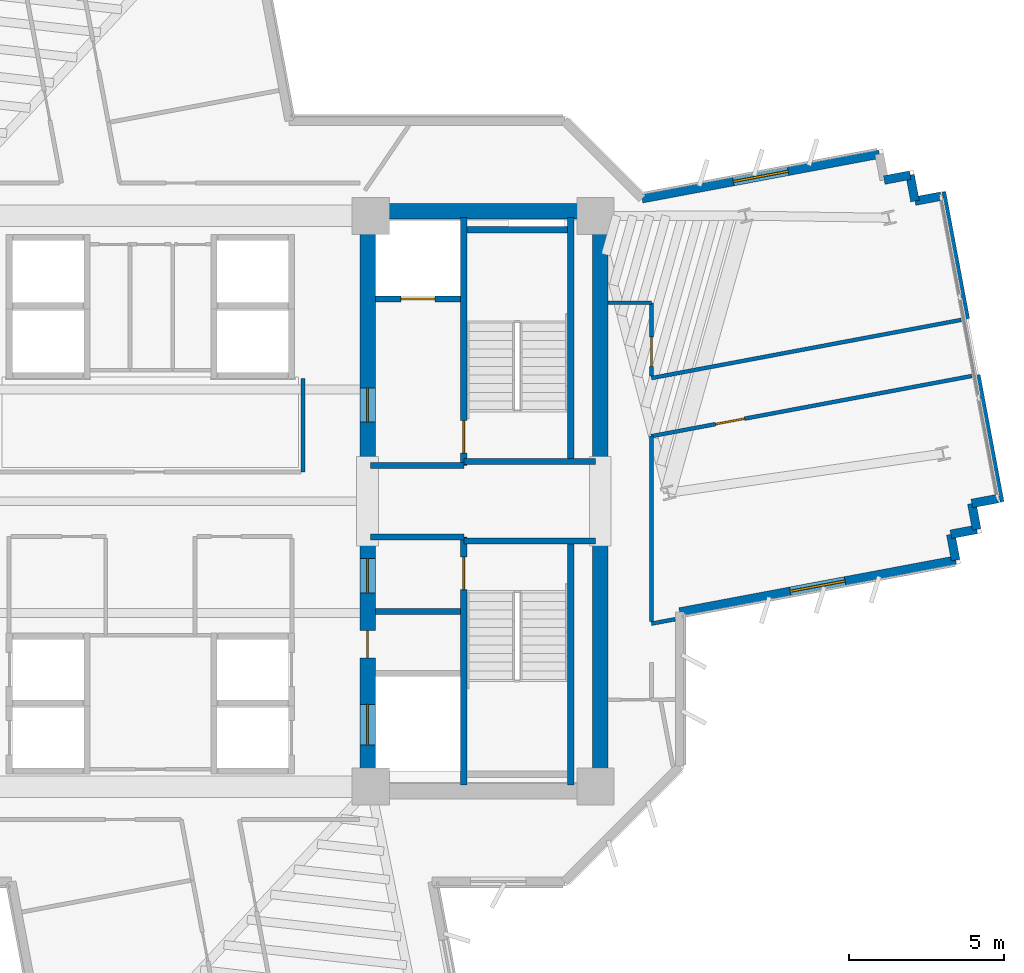
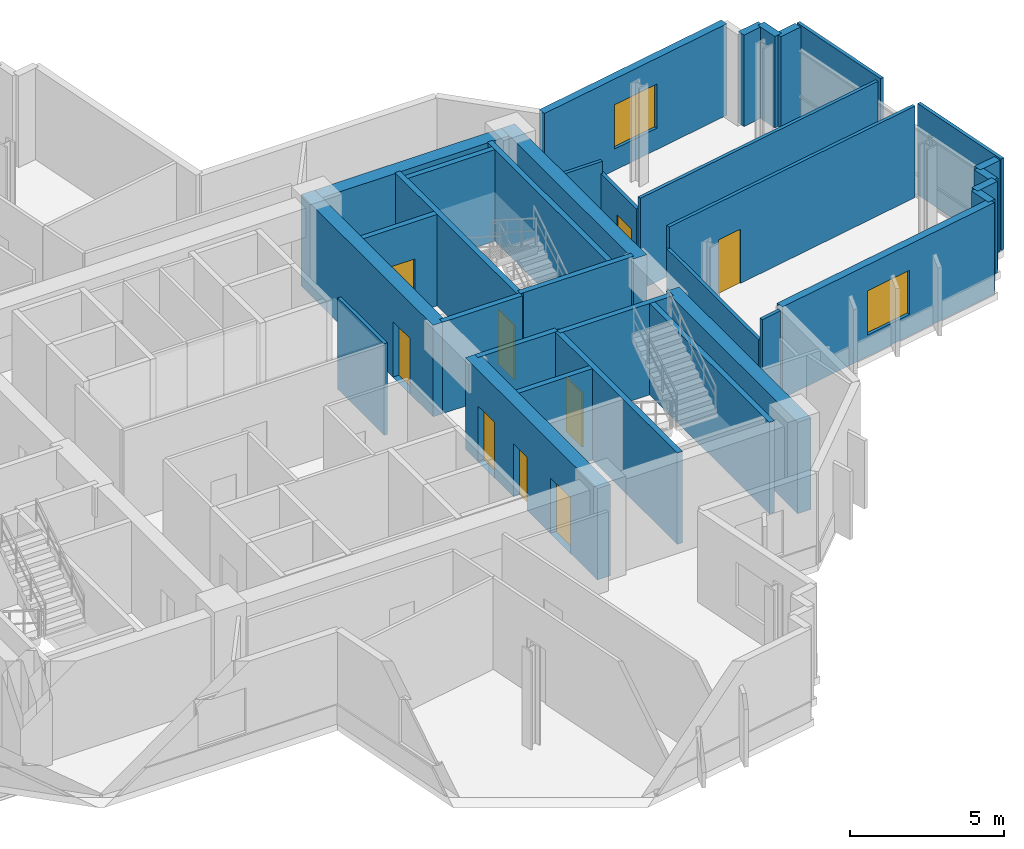
# One storey, part 11 of 16: 34 walls, 9 doors, 2 windows, 11 openings.
"""IFC4 building model written with IfcOpenShell, lengths in metres."""

import ifcopenshell
import ifcopenshell.guid

model = None  # the IFC model being written
_history = None  # IfcOwnerHistory: only IFC2X3 demands one
_inside = {}  # id of a spatial element -> (the spatial element, [elements in it])
_under = {}  # id of a project, library or spatial element -> (it, [spatial elements below it])
_declared = {}  # id of a project -> (the project, [libraries it declares])
_typed = {}  # id of a type object -> (the type object, [elements of that type])
_made_of = {}  # id of a material, layer set ... -> (it, [elements and type objects made of it])


def new_model(schema):
    """Start an empty IFC model of exactly this schema.

    Asked for "IFC4X3", IfcOpenShell would pick the latest addendum, in which some entities
    have other attributes; the version numbers below select the first issue.
    IFC2X3 requires an IfcOwnerHistory on every rooted entity: one is made here for all.
    """
    global model, _history
    if schema == "IFC4X3":
        model = ifcopenshell.file(schema_version=(4, 3, 0, 0))
    else:
        model = ifcopenshell.file(schema=schema)
    _inside.clear()
    _under.clear()
    _declared.clear()
    _typed.clear()
    _made_of.clear()
    _history = None
    if model.schema == "IFC2X3":
        org = make("IfcOrganization", Name="unknown")
        user = make(
            "IfcPersonAndOrganization",
            ThePerson=make("IfcPerson", FamilyName="unknown"),
            TheOrganization=org,
        )
        app = make(
            "IfcApplication",
            ApplicationDeveloper=org,
            Version="unknown",
            ApplicationFullName="unknown",
            ApplicationIdentifier="unknown",
        )
        _history = make(
            "IfcOwnerHistory",
            OwningUser=user,
            OwningApplication=app,
            ChangeAction="ADDED",
            CreationDate=0,
        )
    return model


def make(cls, **values):
    """One entity of the class cls with the attributes given. An attribute that is None is left unset."""
    return model.create_entity(
        cls, **{name: value for name, value in values.items() if value is not None}
    )


def rooted(cls, **values):
    """An entity with a GlobalId (a new one), such as an element, a storey or a relation."""
    return make(cls, GlobalId=ifcopenshell.guid.new(), OwnerHistory=_history, **values)


def si_unit(unit_type, name, prefix=None):
    """IfcSIUnit, for example si_unit("LENGTHUNIT", "METRE", prefix="MILLI")."""
    return make("IfcSIUnit", UnitType=unit_type, Prefix=prefix, Name=name)


def assignment(units):
    """IfcUnitAssignment: the units of a project."""
    return None if units is None else make("IfcUnitAssignment", Units=units)


def point(xyz):
    """IfcCartesianPoint."""
    return None if xyz is None else make("IfcCartesianPoint", Coordinates=xyz)


def direction(xyz):
    """IfcDirection."""
    return None if xyz is None else make("IfcDirection", DirectionRatios=xyz)


def frame(location, z_axis=None, x_axis=None):
    """IfcAxis2Placement3D, a coordinate frame: its origin and axes. An axis left out is left unset."""
    return make(
        "IfcAxis2Placement3D",
        Location=point(location),
        Axis=direction(z_axis),
        RefDirection=direction(x_axis),
    )


def frame_2d(location, x_axis=None):
    """IfcAxis2Placement2D, a coordinate frame in the plane: its origin and x axis."""
    return make(
        "IfcAxis2Placement2D", Location=point(location), RefDirection=direction(x_axis)
    )


def origin():
    """The frame at (0, 0, 0) with its axes left unset."""
    return frame((0.0, 0.0, 0.0))


def place(relative_to, where):
    """IfcLocalPlacement: puts the frame where relative to a parent placement (None: the world)."""
    return make(
        "IfcLocalPlacement", PlacementRelTo=relative_to, RelativePlacement=where
    )


def context(
    kind, dimensions, precision=None, world=None, true_north=None, identifier=None
):
    """IfcGeometricRepresentationContext, for example the 3D "Model" context."""
    return make(
        "IfcGeometricRepresentationContext",
        ContextIdentifier=identifier,
        ContextType=kind,
        CoordinateSpaceDimension=dimensions,
        Precision=precision,
        WorldCoordinateSystem=world,
        TrueNorth=true_north,
    )


def subcontext(parent, identifier, kind, view, scale=None):
    """IfcGeometricRepresentationSubContext, for example "Body" below "Model"."""
    return make(
        "IfcGeometricRepresentationSubContext",
        ContextIdentifier=identifier,
        ContextType=kind,
        ParentContext=parent,
        TargetScale=scale,
        TargetView=view,
    )


def project(units=None, contexts=None):
    """IfcProject with its units and contexts."""
    return rooted(
        "IfcProject",
        Name="project",
        RepresentationContexts=contexts,
        UnitsInContext=assignment(units),
    )


def spatial(cls, under=None, at=None, **own):
    """A site, building, storey or space (cls), placed at a placement, below another one or the project."""
    s = rooted(cls, ObjectPlacement=at, **own)
    if under is not None:
        _under.setdefault(under.id(), (under, []))[1].append(s)
    return s


def profile(cls, at=None, kind="AREA", **sizes):
    """A parametric profile (cls). Its sizes go by their IFC names, for example OverallWidth=200.0."""
    return make(cls, ProfileType=kind, Position=at, **sizes)


def rectangle(**sizes):
    """IfcRectangleProfileDef."""
    return profile("IfcRectangleProfileDef", **sizes)


def extrude(swept, where, along, depth):
    """IfcExtrudedAreaSolid: the profile swept, set in the frame where, extruded along a direction by depth."""
    return make(
        "IfcExtrudedAreaSolid",
        SweptArea=swept,
        Position=where,
        ExtrudedDirection=direction(along),
        Depth=depth,
    )


def shape(context_of_items, identifier, shape_type, items):
    """IfcShapeRepresentation: the items that make up one representation, for example the "Body"."""
    return make(
        "IfcShapeRepresentation",
        ContextOfItems=context_of_items,
        RepresentationIdentifier=identifier,
        RepresentationType=shape_type,
        Items=items,
    )


def source(mapping_origin, context_of_items, identifier, shape_type, items):
    """IfcRepresentationMap: a shape defined once, which mapped items show again and again."""
    return make(
        "IfcRepresentationMap",
        MappingOrigin=mapping_origin,
        MappedRepresentation=shape(context_of_items, identifier, shape_type, items),
    )


def transform(
    local_origin,
    x_axis=None,
    y_axis=None,
    z_axis=None,
    scale=None,
    scale2=None,
    scale3=None,
    uniform=True,
):
    """IfcCartesianTransformationOperator3D, or its non-uniform kind. x_axis, y_axis, z_axis: its Axis1, 2, 3."""
    if uniform:
        return make(
            "IfcCartesianTransformationOperator3D",
            Axis1=direction(x_axis),
            Axis2=direction(y_axis),
            LocalOrigin=point(local_origin),
            Scale=scale,
            Axis3=direction(z_axis),
        )
    return make(
        "IfcCartesianTransformationOperator3DnonUniform",
        Axis1=direction(x_axis),
        Axis2=direction(y_axis),
        LocalOrigin=point(local_origin),
        Scale=scale,
        Axis3=direction(z_axis),
        Scale2=scale2,
        Scale3=scale3,
    )


def mapped(mapping_source, mapping_target):
    """IfcMappedItem: shows the shape of a source again, moved by a transform."""
    return make(
        "IfcMappedItem", MappingSource=mapping_source, MappingTarget=mapping_target
    )


def material(Name=None, Category=None):
    """IfcMaterial."""
    return make("IfcMaterial", Name=Name, Category=Category)


def layer(
    of_material, thickness, ventilated=None, Name=None, Category=None, Priority=None
):
    """IfcMaterialLayer: one layer of a wall or slab, of a material (None: an air gap)."""
    return make(
        "IfcMaterialLayer",
        Material=of_material,
        LayerThickness=thickness,
        IsVentilated=ventilated,
        Name=Name,
        Category=Category,
        Priority=Priority,
    )


def layer_set(layers, Name=None):
    """IfcMaterialLayerSet."""
    return make("IfcMaterialLayerSet", MaterialLayers=layers, LayerSetName=Name)


def made_of(thing, what):
    """Note that an element or type object is made of a material, layer set ...; save() writes the relation."""
    if what is not None:
        _made_of.setdefault(what.id(), (what, []))[1].append(thing)
    return thing


def type_object(cls, material=None, **own):
    """A type object (cls), such as IfcWallType, which elements share."""
    return made_of(rooted(cls, **own), material)


def element(
    cls,
    number,
    at=None,
    inside=None,
    cuts=None,
    type_object=None,
    material=None,
    context=None,
    identifier="Body",
    shape_type=None,
    held_by="IfcProductDefinitionShape",
    body=None,
    shapes=None,
    **own,
):
    """One element of the class cls, such as IfcWall. Its Tag is "e" and its number.

    at: its placement. inside: the storey or other place that contains it. cuts: it is an
    opening in that element (IfcRelVoidsElement). A single representation is given by context,
    identifier, shape_type and body (its items); several are given by shapes. held_by: the class
    of the entity that holds the representations. save() writes the other relations.
    """
    e = rooted(cls, Tag="e%d" % number, ObjectPlacement=at, **own)
    if body is not None:
        shapes = [shape(context, identifier, shape_type, body)]
    if shapes is not None:
        e.Representation = make(held_by, Representations=shapes)
    if inside is not None:
        _inside.setdefault(inside.id(), (inside, []))[1].append(e)
    if cuts is not None:
        rooted(
            "IfcRelVoidsElement", RelatingBuildingElement=cuts, RelatedOpeningElement=e
        )
    if type_object is not None:
        _typed.setdefault(type_object.id(), (type_object, []))[1].append(e)
    return made_of(e, material)


def fill(opening, filler):
    """IfcRelFillsElement: the door or window that sits in an opening."""
    return rooted(
        "IfcRelFillsElement",
        RelatingOpeningElement=opening,
        RelatedBuildingElement=filler,
    )


def aggregate(whole, parts):
    """IfcRelAggregates: a whole, such as a stair, and the parts it consists of."""
    return rooted("IfcRelAggregates", RelatingObject=whole, RelatedObjects=parts)


def save(model, path):
    """Write the relations noted so far, then the file.

    IfcRelAggregates (storeys below a building ...), IfcRelContainedInSpatialStructure (elements
    in a storey), IfcRelDefinesByType, IfcRelAssociatesMaterial and IfcRelDeclares: one each for
    every whole, place, type object, material and project.
    """
    for whole, parts in _under.values():
        aggregate(whole, parts)
    for where, things in _inside.values():
        rooted(
            "IfcRelContainedInSpatialStructure",
            RelatedElements=things,
            RelatingStructure=where,
        )
    for kind, things in _typed.values():
        rooted("IfcRelDefinesByType", RelatedObjects=things, RelatingType=kind)
    for what, things in _made_of.values():
        rooted("IfcRelAssociatesMaterial", RelatedObjects=things, RelatingMaterial=what)
    for by, libraries in _declared.values():
        rooted("IfcRelDeclares", RelatingContext=by, RelatedDefinitions=libraries)
    model.write(path)


model = new_model("IFC4")

# Units and contexts
model_context = context("Model", 3, precision=1e-05, world=origin(), true_north=direction((0.0, 1.0)))
body_context = subcontext(model_context, "Body", "Model", "MODEL_VIEW")
ifc_project = project(units=[si_unit("LENGTHUNIT", "METRE"), si_unit("AREAUNIT", "SQUARE_METRE"), si_unit("VOLUMEUNIT", "CUBIC_METRE"), si_unit("PLANEANGLEUNIT", "RADIAN"), si_unit("MASSUNIT", "GRAM", prefix="KILO")], contexts=[model_context])

# Site, building, storey
site_placement = place(None, origin())
site = spatial("IfcSite", under=ifc_project, at=site_placement, CompositionType="ELEMENT")
building_placement = place(site_placement, origin())
building = spatial("IfcBuilding", under=site, at=building_placement, Name="Zahravan Cultural Tower", CompositionType="ELEMENT")
storey_placement = place(building_placement, frame((0.0, 0.0, 151.199951171875)))
storey = spatial("IfcBuildingStorey", under=building, at=storey_placement, Name="L34", CompositionType="ELEMENT", Elevation=151.199951171875)

# Wall, openings, doors
ifc_material_1 = material(Name="Concrete C60/75", Category="concrete")
ifc_layer_1 = layer(ifc_material_1, 0.5)
ifc_layer_set_1 = layer_set([ifc_layer_1], Name="Concrete C60/75")
wall_type_1 = type_object("IfcWallType", Name="CW-SHEAR-500-C60", PredefinedType="SHEAR", material=ifc_layer_set_1)
wall_1_placement = place(storey_placement, frame((43.0, 17.39990234375, 0.0), z_axis=(0.0, 0.0, 1.0), x_axis=(0.0, 1.0, 0.0)))
wall_1 = element("IfcWall", 1, at=wall_1_placement, inside=storey, type_object=wall_type_1, Name="L34 Core Shear Wall CW-E-WS-L34", PredefinedType="SHEAR", context=body_context, shape_type="SweptSolid", body=[
    extrude(rectangle(XDim=8.550048828125, YDim=0.5, at=frame_2d((4.27490234375, 0.0))), origin(), (0.0, 0.0, 1.0), 3.6201171875),
])
opening_1_placement = place(wall_1_placement, frame((6.64990234375, 0.0, 0.0)))
opening_1 = element("IfcOpeningElement", 2, at=opening_1_placement, cuts=wall_1, Name="Opening D-L34-08", PredefinedType="OPENING", context=body_context, shape_type="SweptSolid", body=[
    extrude(rectangle(XDim=1.10009765625, YDim=2.199951171875, at=frame_2d((0.550048828125, 1.10009765625))), frame((0.0, 0.260009765625, 0.0), z_axis=(0.0, -1.0, 0.0), x_axis=(1.0, 0.0, 0.0)), (0.0, 0.0, 1.0), 0.52001953125),
])
opening_2_placement = place(wall_1_placement, frame((1.75, 0.0, 0.0)))
opening_2 = element("IfcOpeningElement", 3, at=opening_2_placement, cuts=wall_1, Name="Opening LD-L34-03", PredefinedType="OPENING", context=body_context, shape_type="SweptSolid", body=[
    extrude(rectangle(XDim=1.300048828125, YDim=2.199951171875, at=frame_2d((0.64990234375, 1.10009765625))), frame((0.0, 0.260009765625, 0.0), z_axis=(0.0, -1.0, 0.0), x_axis=(1.0, 0.0, 0.0)), (0.0, 0.0, 1.0), 0.52001953125),
])
opening_3_placement = place(wall_1_placement, frame((4.550048828125, 0.0, 0.0)))
opening_3 = element("IfcOpeningElement", 4, at=opening_3_placement, cuts=wall_1, Name="Opening D-L34-10", PredefinedType="OPENING", context=body_context, shape_type="SweptSolid", body=[
    extrude(rectangle(XDim=0.8798828125, YDim=2.10009765625, at=frame_2d((0.43994140625, 1.050048828125))), frame((0.0, 0.260009765625, 0.0), z_axis=(0.0, -1.0, 0.0), x_axis=(1.0, 0.0, 0.0)), (0.0, 0.0, 1.0), 0.52001953125),
])
ifc_material_2 = material(Name="Steel ASTM A572 Grade 50", Category="steel")
door_type_1 = type_object("IfcDoorType", Name="DR-LOBBY-1100", OperationType="NOTDEFINED", PredefinedType="DOOR", material=ifc_material_2)
shared_shape_1 = source(origin(), body_context, "Body", "SweptSolid", [
    extrude(rectangle(XDim=1.10009765625, YDim=2.199951171875, at=frame_2d((0.550048828125, 1.10009765625))), frame((0.0, 0.02490234375, 0.0), z_axis=(0.0, -1.0, 0.0), x_axis=(1.0, 0.0, 0.0)), (0.0, 0.0, 1.0), 0.050048828125),
])
door_1_placement = place(opening_1_placement, origin())
door_1 = element("IfcDoor", 5, at=door_1_placement, inside=storey, type_object=door_type_1, Name="L34 Door D-L34-08", OperationType="SINGLE_SWING_LEFT", OverallHeight=2.199951171875, OverallWidth=1.10009765625, PredefinedType="DOOR", context=body_context, shape_type="MappedRepresentation", body=[
    mapped(shared_shape_1, transform((0.0, 0.0, 0.0), x_axis=(1.0, 0.0, 0.0), y_axis=(0.0, 1.0, 0.0), z_axis=(0.0, 0.0, 1.0), scale=1.0)),
])
fill(opening_1, door_1)
door_type_2 = type_object("IfcDoorType", Name="DR-LIFT-1300", OperationType="DOUBLE_DOOR_SLIDING", PredefinedType="DOOR", material=ifc_material_2)
shared_shape_2 = source(origin(), body_context, "Body", "SweptSolid", [
    extrude(rectangle(XDim=1.300048828125, YDim=2.199951171875, at=frame_2d((0.64990234375, 1.10009765625))), frame((0.0, 0.02490234375, 0.0), z_axis=(0.0, -1.0, 0.0), x_axis=(1.0, 0.0, 0.0)), (0.0, 0.0, 1.0), 0.050048828125),
])
door_2_placement = place(opening_2_placement, origin())
door_2 = element("IfcDoor", 6, at=door_2_placement, inside=storey, type_object=door_type_2, Name="L34 Door LD-L34-03", OperationType="DOUBLE_DOOR_SLIDING", OverallHeight=2.199951171875, OverallWidth=1.300048828125, PredefinedType="DOOR", context=body_context, shape_type="MappedRepresentation", body=[
    mapped(shared_shape_2, transform((0.0, 0.0, 0.0), x_axis=(1.0, 0.0, 0.0), y_axis=(0.0, 1.0, 0.0), z_axis=(0.0, 0.0, 1.0), scale=1.0)),
])
fill(opening_2, door_2)
door_type_3 = type_object("IfcDoorType", Name="DR-SVC-880", OperationType="NOTDEFINED", PredefinedType="DOOR", material=ifc_material_2)
shared_shape_3 = source(origin(), body_context, "Body", "SweptSolid", [
    extrude(rectangle(XDim=0.8798828125, YDim=2.10009765625, at=frame_2d((0.43994140625, 1.050048828125))), frame((0.0, 0.02490234375, 0.0), z_axis=(0.0, -1.0, 0.0), x_axis=(1.0, 0.0, 0.0)), (0.0, 0.0, 1.0), 0.050048828125),
])
door_3_placement = place(opening_3_placement, origin())
door_3 = element("IfcDoor", 7, at=door_3_placement, inside=storey, type_object=door_type_3, Name="L34 Door D-L34-10", OperationType="SINGLE_SWING_LEFT", OverallHeight=2.10009765625, OverallWidth=0.8798828125, PredefinedType="DOOR", context=body_context, shape_type="MappedRepresentation", body=[
    mapped(shared_shape_3, transform((0.0, 0.0, 0.0), x_axis=(1.0, 0.0, 0.0), y_axis=(0.0, 1.0, 0.0), z_axis=(0.0, 0.0, 1.0), scale=1.0)),
])
fill(opening_3, door_3)

# Wall, opening, door
wall_2_placement = place(storey_placement, frame((43.0, 28.050048828125, 0.0), z_axis=(0.0, 0.0, 1.0), x_axis=(0.0, 1.0, 0.0)))
wall_2 = element("IfcWall", 8, at=wall_2_placement, inside=storey, type_object=wall_type_1, Name="L34 Core Shear Wall CW-E-WN-L34", PredefinedType="SHEAR", context=body_context, shape_type="SweptSolid", body=[
    extrude(rectangle(XDim=8.550048828125, YDim=0.5, at=frame_2d((4.27490234375, 0.0))), origin(), (0.0, 0.0, 1.0), 3.6201171875),
])
opening_4_placement = place(wall_2_placement, frame((1.5, 0.0, 0.0)))
opening_4 = element("IfcOpeningElement", 9, at=opening_4_placement, cuts=wall_2, Name="Opening D-L34-06", PredefinedType="OPENING", context=body_context, shape_type="SweptSolid", body=[
    extrude(rectangle(XDim=1.10009765625, YDim=2.199951171875, at=frame_2d((0.550048828125, 1.10009765625))), frame((0.0, 0.260009765625, 0.0), z_axis=(0.0, -1.0, 0.0), x_axis=(1.0, 0.0, 0.0)), (0.0, 0.0, 1.0), 0.52001953125),
])
door_4_placement = place(opening_4_placement, origin())
door_4 = element("IfcDoor", 10, at=door_4_placement, inside=storey, type_object=door_type_1, Name="L34 Door D-L34-06", OperationType="SINGLE_SWING_LEFT", OverallHeight=2.199951171875, OverallWidth=1.10009765625, PredefinedType="DOOR", context=body_context, shape_type="MappedRepresentation", body=[
    mapped(shared_shape_1, transform((0.0, 0.0, 0.0), x_axis=(1.0, 0.0, 0.0), y_axis=(0.0, 1.0, 0.0), z_axis=(0.0, 0.0, 1.0), scale=1.0)),
])
fill(opening_4, door_4)

# Wall, opening, window
ifc_material_3 = material(Name="Precast concrete C40/50", Category="concrete")
ifc_layer_2 = layer(ifc_material_3, 0.280029296875)
ifc_layer_set_2 = layer_set([ifc_layer_2], Name="Precast concrete C40/50")
wall_type_2 = type_object("IfcWallType", Name="EW-TC-280", PredefinedType="SOLIDWALL", material=ifc_layer_set_2)
wall_3_placement = place(storey_placement, frame((51.84814453125, 36.75390625, 0.0), z_axis=(0.0, 0.0, 1.0), x_axis=(0.982809278234, 0.18462373254, 0.0)))
wall_3 = element("IfcWall", 11, at=wall_3_placement, inside=storey, type_object=wall_type_2, Name="L34 Exterior Masonry Frame Wall 01", PredefinedType="SOLIDWALL", context=body_context, shape_type="SweptSolid", body=[
    extrude(rectangle(XDim=7.783447265625, YDim=0.280029296875, at=frame_2d((3.8916015625, 0.0))), origin(), (0.0, 0.0, 1.0), 3.6201171875),
])
opening_5_placement = place(wall_3_placement, frame((2.991943359375, 0.0, 0.85009765625)))
opening_5 = element("IfcOpeningElement", 12, at=opening_5_placement, cuts=wall_3, Name="Opening WN-02", PredefinedType="OPENING", context=body_context, shape_type="SweptSolid", body=[
    extrude(rectangle(XDim=1.800048828125, YDim=1.75, at=frame_2d((0.89990234375, 0.875))), frame((0.0, 0.14990234375, 0.0), z_axis=(0.0, -1.0, 0.0), x_axis=(1.0, 0.0, 0.0)), (0.0, 0.0, 1.0), 0.300048828125),
])
ifc_material_4 = material(Name="Low-E solar-control double glazing", Category="glass")
window_type = type_object("IfcWindowType", Name="WN-REC-1800X1750", PartitioningType="DOUBLE_PANEL_VERTICAL", PredefinedType="WINDOW", material=ifc_material_4)
shared_shape_4 = source(origin(), body_context, "Body", "SweptSolid", [
    extrude(rectangle(XDim=1.800048828125, YDim=1.75, at=frame_2d((0.89990234375, 0.875))), frame((0.0, 0.030029296875, 0.0), z_axis=(0.0, -1.0, 0.0), x_axis=(1.0, 0.0, 0.0)), (0.0, 0.0, 1.0), 0.06005859375),
])
window_1_placement = place(opening_5_placement, origin())
window_1 = element("IfcWindow", 13, at=window_1_placement, inside=storey, type_object=window_type, Name="L34 Recessed Solar Window 01", OverallHeight=1.75, OverallWidth=1.800048828125, PartitioningType="DOUBLE_PANEL_VERTICAL", PredefinedType="WINDOW", context=body_context, shape_type="MappedRepresentation", body=[
    mapped(shared_shape_4, transform((0.0, 0.0, 0.0), x_axis=(1.0, 0.0, 0.0), y_axis=(0.0, 1.0, 0.0), z_axis=(0.0, 0.0, 1.0), scale=1.0)),
])
fill(opening_5, window_1)

wall_4_placement = place(storey_placement, frame((61.95703125, 25.099853515625, 0.0), z_axis=(0.0, 0.0, 1.0), x_axis=(-0.982808012228, -0.184630471755, 0.0)))
wall_4 = element("IfcWall", 14, at=wall_4_placement, inside=storey, type_object=wall_type_2, Name="L34 Exterior Masonry Frame Wall 10", PredefinedType="SOLIDWALL", context=body_context, shape_type="SweptSolid", body=[
    extrude(rectangle(XDim=9.052490234375, YDim=0.280029296875, at=frame_2d((4.5263671875, 0.0))), origin(), (0.0, 0.0, 1.0), 3.6201171875),
])
opening_6_placement = place(wall_4_placement, frame((3.6259765625, 0.0, 0.85009765625)))
opening_6 = element("IfcOpeningElement", 15, at=opening_6_placement, cuts=wall_4, Name="Opening WN-02", PredefinedType="OPENING", context=body_context, shape_type="SweptSolid", body=[
    extrude(rectangle(XDim=1.800048828125, YDim=1.75, at=frame_2d((0.89990234375, 0.875))), frame((0.0, 0.14990234375, 0.0), z_axis=(0.0, -1.0, 0.0), x_axis=(1.0, 0.0, 0.0)), (0.0, 0.0, 1.0), 0.300048828125),
])
window_2_placement = place(opening_6_placement, origin())
window_2 = element("IfcWindow", 16, at=window_2_placement, inside=storey, type_object=window_type, Name="L34 Recessed Solar Window 02", OverallHeight=1.75, OverallWidth=1.800048828125, PartitioningType="DOUBLE_PANEL_VERTICAL", PredefinedType="WINDOW", context=body_context, shape_type="MappedRepresentation", body=[
    mapped(shared_shape_4, transform((0.0, 0.0, 0.0), x_axis=(1.0, 0.0, 0.0), y_axis=(0.0, 1.0, 0.0), z_axis=(0.0, 0.0, 1.0), scale=1.0)),
])
fill(opening_6, window_2)

# Wall, opening, door
ifc_material_5 = material(Name="Gypsum plasterboard partition")
ifc_layer_3 = layer(ifc_material_5, 0.125)
ifc_layer_set_3 = layer_set([ifc_layer_3], Name="Gypsum plasterboard partition")
wall_type_3 = type_object("IfcWallType", Name="W-PART-125", PredefinedType="PARTITIONING", material=ifc_layer_set_3)
wall_5_placement = place(storey_placement, frame((52.150146484375, 29.097900390625, 0.0), z_axis=(0.0, 0.0, 1.0), x_axis=(0.982805559331, 0.184643528314, 0.0)))
wall_5 = element("IfcWall", 17, at=wall_5_placement, inside=storey, type_object=wall_type_3, Name="L34 Interior Wall 092", PredefinedType="PARTITIONING", context=body_context, shape_type="SweptSolid", body=[
    extrude(rectangle(XDim=10.505126953125, YDim=0.125, at=frame_2d((5.25244140625, 0.0))), origin(), (0.0, 0.0, 1.0), 3.6201171875),
])
opening_7_placement = place(wall_5_placement, frame((2.102294921875, 0.0, 0.0)))
opening_7 = element("IfcOpeningElement", 18, at=opening_7_placement, cuts=wall_5, Name="Opening D-L34-19", PredefinedType="OPENING", context=body_context, shape_type="SweptSolid", body=[
    extrude(rectangle(XDim=0.949951171875, YDim=2.14990234375, at=frame_2d((0.47509765625, 1.074951171875))), frame((0.0, 0.072509765625, 0.0), z_axis=(0.0, -1.0, 0.0), x_axis=(1.0, 0.0, 0.0)), (0.0, 0.0, 1.0), 0.14501953125),
])
ifc_material_6 = material(Name="Anodised bronze-aluminium mullion", Category="aluminium")
door_type_4 = type_object("IfcDoorType", Name="DR-ROOM-950", OperationType="NOTDEFINED", PredefinedType="DOOR", material=ifc_material_6)
shared_shape_5 = source(origin(), body_context, "Body", "SweptSolid", [
    extrude(rectangle(XDim=0.949951171875, YDim=2.14990234375, at=frame_2d((0.47509765625, 1.074951171875))), frame((0.0, 0.02490234375, 0.0), z_axis=(0.0, -1.0, 0.0), x_axis=(1.0, 0.0, 0.0)), (0.0, 0.0, 1.0), 0.050048828125),
])
door_5_placement = place(opening_7_placement, origin())
door_5 = element("IfcDoor", 19, at=door_5_placement, inside=storey, type_object=door_type_4, Name="L34 Door D-L34-19", OperationType="SINGLE_SWING_RIGHT", OverallHeight=2.14990234375, OverallWidth=0.949951171875, PredefinedType="DOOR", context=body_context, shape_type="MappedRepresentation", body=[
    mapped(shared_shape_5, transform((0.0, 0.0, 0.0), x_axis=(1.0, 0.0, 0.0), y_axis=(0.0, 1.0, 0.0), z_axis=(0.0, 0.0, 1.0), scale=1.0)),
])
fill(opening_7, door_5)

wall_6_placement = place(storey_placement, frame((52.14990234375, 31.038818359375, 0.0), z_axis=(0.0, 0.0, 1.0), x_axis=(-0.0004137788, 0.999999914394, 0.0)))
wall_6 = element("IfcWall", 20, at=wall_6_placement, inside=storey, type_object=wall_type_3, Name="L34 Interior Wall 103", PredefinedType="PARTITIONING", context=body_context, shape_type="SweptSolid", body=[
    extrude(rectangle(XDim=2.360107421875, YDim=0.125, at=frame_2d((1.18017578125, 0.0))), origin(), (0.0, 0.0, 1.0), 3.149169921875),
])
opening_8_placement = place(wall_6_placement, frame((0.310302734375, 0.0, 0.0)))
opening_8 = element("IfcOpeningElement", 21, at=opening_8_placement, cuts=wall_6, Name="Opening D-L34-20", PredefinedType="OPENING", context=body_context, shape_type="SweptSolid", body=[
    extrude(rectangle(XDim=0.949951171875, YDim=2.14990234375, at=frame_2d((0.47509765625, 1.074951171875))), frame((0.0, 0.072509765625, 0.0), z_axis=(0.0, -1.0, 0.0), x_axis=(1.0, 0.0, 0.0)), (0.0, 0.0, 1.0), 0.14501953125),
])
door_6_placement = place(opening_8_placement, origin())
door_6 = element("IfcDoor", 22, at=door_6_placement, inside=storey, type_object=door_type_4, Name="L34 Door D-L34-20", OperationType="SINGLE_SWING_LEFT", OverallHeight=2.14990234375, OverallWidth=0.949951171875, PredefinedType="DOOR", context=body_context, shape_type="MappedRepresentation", body=[
    mapped(shared_shape_5, transform((0.0, 0.0, 0.0), x_axis=(1.0, 0.0, 0.0), y_axis=(0.0, 1.0, 0.0), z_axis=(0.0, 0.0, 1.0), scale=1.0)),
])
fill(opening_8, door_6)

ifc_material_7 = material(Name="Concrete C45/55", Category="concrete")
ifc_layer_4 = layer(ifc_material_7, 0.199951171875)
ifc_layer_set_4 = layer_set([ifc_layer_4], Name="Concrete C45/55")
wall_type_4 = type_object("IfcWallType", Name="W-SHAFT-200", PredefinedType="SOLIDWALL", material=ifc_layer_set_4)
wall_7_placement = place(storey_placement, frame((46.10009765625, 17.85009765625, 0.0), z_axis=(0.0, 0.0, 1.0), x_axis=(0.0, 1.0, 0.0)))
wall_7 = element("IfcWall", 23, at=wall_7_placement, inside=storey, type_object=wall_type_4, Name="L34 Interior Wall 007", PredefinedType="SOLIDWALL", context=body_context, shape_type="SweptSolid", body=[
    extrude(rectangle(XDim=8.0, YDim=0.199951171875, at=frame_2d((4.0, 0.0))), origin(), (0.0, 0.0, 1.0), 3.6201171875),
])
opening_9_placement = place(wall_7_placement, frame((6.300048828125, 0.0, 0.0)))
opening_9 = element("IfcOpeningElement", 24, at=opening_9_placement, cuts=wall_7, Name="Opening D-L34-03", PredefinedType="OPENING", context=body_context, shape_type="SweptSolid", body=[
    extrude(rectangle(XDim=1.050048828125, YDim=2.14990234375, at=frame_2d((0.52490234375, 1.074951171875))), frame((0.0, 0.10986328125, 0.0), z_axis=(0.0, -1.0, 0.0), x_axis=(1.0, 0.0, 0.0)), (0.0, 0.0, 1.0), 0.219970703125),
])
door_type_5 = type_object("IfcDoorType", Name="DR-STAIR-1050", OperationType="NOTDEFINED", PredefinedType="DOOR", material=ifc_material_2)
shared_shape_6 = source(origin(), body_context, "Body", "SweptSolid", [
    extrude(rectangle(XDim=1.050048828125, YDim=2.14990234375, at=frame_2d((0.52490234375, 1.074951171875))), frame((0.0, 0.02490234375, 0.0), z_axis=(0.0, -1.0, 0.0), x_axis=(1.0, 0.0, 0.0)), (0.0, 0.0, 1.0), 0.050048828125),
])
door_7_placement = place(opening_9_placement, origin())
door_7 = element("IfcDoor", 25, at=door_7_placement, inside=storey, type_object=door_type_5, Name="L34 Door D-L34-03", OperationType="SINGLE_SWING_RIGHT", OverallHeight=2.14990234375, OverallWidth=1.050048828125, PredefinedType="DOOR", context=body_context, shape_type="MappedRepresentation", body=[
    mapped(shared_shape_6, transform((0.0, 0.0, 0.0), x_axis=(1.0, 0.0, 0.0), y_axis=(0.0, 1.0, 0.0), z_axis=(0.0, 0.0, 1.0), scale=1.0)),
])
fill(opening_9, door_7)

wall_8_placement = place(storey_placement, frame((46.10009765625, 28.14990234375, 0.0), z_axis=(0.0, 0.0, 1.0), x_axis=(0.0, 1.0, 0.0)))
wall_8 = element("IfcWall", 26, at=wall_8_placement, inside=storey, type_object=wall_type_4, Name="L34 Interior Wall 008", PredefinedType="SOLIDWALL", context=body_context, shape_type="SweptSolid", body=[
    extrude(rectangle(XDim=8.0, YDim=0.199951171875, at=frame_2d((4.0, 0.0))), origin(), (0.0, 0.0, 1.0), 3.6201171875),
])
opening_10_placement = place(wall_8_placement, frame((0.39990234375, 0.0, 0.0)))
opening_10 = element("IfcOpeningElement", 27, at=opening_10_placement, cuts=wall_8, Name="Opening D-L34-02", PredefinedType="OPENING", context=body_context, shape_type="SweptSolid", body=[
    extrude(rectangle(XDim=1.050048828125, YDim=2.14990234375, at=frame_2d((0.52490234375, 1.074951171875))), frame((0.0, 0.10986328125, 0.0), z_axis=(0.0, -1.0, 0.0), x_axis=(1.0, 0.0, 0.0)), (0.0, 0.0, 1.0), 0.219970703125),
])
door_8_placement = place(opening_10_placement, origin())
door_8 = element("IfcDoor", 28, at=door_8_placement, inside=storey, type_object=door_type_5, Name="L34 Door D-L34-02", OperationType="SINGLE_SWING_LEFT", OverallHeight=2.14990234375, OverallWidth=1.050048828125, PredefinedType="DOOR", context=body_context, shape_type="MappedRepresentation", body=[
    mapped(shared_shape_6, transform((0.0, 0.0, 0.0), x_axis=(1.0, 0.0, 0.0), y_axis=(0.0, 1.0, 0.0), z_axis=(0.0, 0.0, 1.0), scale=1.0)),
])
fill(opening_10, door_8)

wall_9_placement = place(storey_placement, frame((43.25, 33.52001953125, 0.0), z_axis=(0.0, 0.0, 1.0), x_axis=(1.0, 0.0, 0.0)))
wall_9 = element("IfcWall", 29, at=wall_9_placement, inside=storey, type_object=wall_type_4, Name="L34 Interior Wall 022", PredefinedType="SOLIDWALL", context=body_context, shape_type="SweptSolid", body=[
    extrude(rectangle(XDim=2.75, YDim=0.199951171875, at=frame_2d((1.375, 0.0))), origin(), (0.0, 0.0, 1.0), 3.6201171875),
])
opening_11_placement = place(wall_9_placement, frame((0.820068359375, 0.0, 0.0)))
opening_11 = element("IfcOpeningElement", 30, at=opening_11_placement, cuts=wall_9, Name="Opening LD-L34-02", PredefinedType="OPENING", context=body_context, shape_type="SweptSolid", body=[
    extrude(rectangle(XDim=1.10009765625, YDim=2.14990234375, at=frame_2d((0.550048828125, 1.074951171875))), frame((0.0, 0.10986328125, 0.0), z_axis=(0.0, -1.0, 0.0), x_axis=(1.0, 0.0, 0.0)), (0.0, 0.0, 1.0), 0.219970703125),
])
door_type_6 = type_object("IfcDoorType", Name="DR-LIFT-1100", OperationType="DOUBLE_DOOR_SLIDING", PredefinedType="DOOR", material=ifc_material_2)
shared_shape_7 = source(origin(), body_context, "Body", "SweptSolid", [
    extrude(rectangle(XDim=1.10009765625, YDim=2.14990234375, at=frame_2d((0.550048828125, 1.074951171875))), frame((0.0, 0.02490234375, 0.0), z_axis=(0.0, -1.0, 0.0), x_axis=(1.0, 0.0, 0.0)), (0.0, 0.0, 1.0), 0.050048828125),
])
door_9_placement = place(opening_11_placement, origin())
door_9 = element("IfcDoor", 31, at=door_9_placement, inside=storey, type_object=door_type_6, Name="L34 Door LD-L34-02", OperationType="DOUBLE_DOOR_SLIDING", OverallHeight=2.14990234375, OverallWidth=1.10009765625, PredefinedType="DOOR", context=body_context, shape_type="MappedRepresentation", body=[
    mapped(shared_shape_7, transform((0.0, 0.0, 0.0), x_axis=(1.0, 0.0, 0.0), y_axis=(0.0, 1.0, 0.0), z_axis=(0.0, 0.0, 1.0), scale=1.0)),
])
fill(opening_11, door_9)

# Walls
shared_shape_8 = source(origin(), body_context, "Body", "SweptSolid", [
    extrude(rectangle(XDim=8.550048828125, YDim=0.5, at=frame_2d((4.27490234375, 0.0))), origin(), (0.0, 0.0, 1.0), 3.6201171875),
])
for number, where, z_axis, x_axis, name in (
    (32, (50.5, 17.39990234375, 0.0), (0.0, 0.0, 1.0), (0.0, 1.0, 0.0), "L34 Core Shear Wall CW-E-ES-L34"),
    (33, (50.5, 28.050048828125, 0.0), (0.0, 0.0, 1.0), (0.0, 1.0, 0.0), "L34 Core Shear Wall CW-E-EN-L34"),
):
    element("IfcWall", number, at=place(storey_placement, frame(where, z_axis=z_axis, x_axis=x_axis)), inside=storey, type_object=wall_type_1, Name=name, PredefinedType="SHEAR", context=body_context, shape_type="MappedRepresentation", body=[
        mapped(shared_shape_8, transform((0.0, 0.0, 0.0), x_axis=(1.0, 0.0, 0.0), y_axis=(0.0, 1.0, 0.0), z_axis=(0.0, 0.0, 1.0), scale=1.0)),
    ])
shared_shape_9 = source(origin(), body_context, "Body", "SweptSolid", [
    extrude(rectangle(XDim=7.0, YDim=0.5, at=frame_2d((3.5, 0.0))), origin(), (0.0, 0.0, 1.0), 3.6201171875),
])
wall_10_placement = place(storey_placement, frame((43.25, 36.35009765625, 0.0), z_axis=(0.0, 0.0, 1.0), x_axis=(1.0, 0.0, 0.0)))
element("IfcWall", 34, at=wall_10_placement, inside=storey, type_object=wall_type_1, Name="L34 Core Shear Wall CW-E-N-L34", PredefinedType="SHEAR", context=body_context, shape_type="MappedRepresentation", body=[
    mapped(shared_shape_9, transform((0.0, 0.0, 0.0), x_axis=(1.0, 0.0, 0.0), y_axis=(0.0, 1.0, 0.0), z_axis=(0.0, 0.0, 1.0), scale=1.0)),
])
shared_shape_10 = source(origin(), body_context, "Body", "SweptSolid", [
    extrude(rectangle(XDim=0.85009765625, YDim=0.280029296875, at=frame_2d((0.425048828125, 0.0))), origin(), (0.0, 0.0, 1.0), 3.6201171875),
])
for number, where, z_axis, x_axis, name in (
    (35, (60.64697265625, 36.67724609375, 0.0), (0.0, 0.0, 1.0), (0.982852672425, 0.184392582027, 0.0), "L34 Exterior Masonry Frame Wall 05"),
    (36, (63.31396484375, 27.084716796875, 0.0), (0.0, 0.0, 1.0), (-0.982800583684, -0.184670010318, 0.0), "L34 Exterior Masonry Frame Wall 06"),
    (37, (62.478515625, 26.927734375, 0.0), (0.0, 0.0, 1.0), (0.184670010318, -0.982800583684, 0.0), "L34 Exterior Masonry Frame Wall 07"),
    (38, (61.80029296875, 25.935302734375, 0.0), (0.0, 0.0, 1.0), (0.184392582027, -0.982852672425, 0.0), "L34 Exterior Masonry Frame Wall 09"),
):
    element("IfcWall", number, at=place(storey_placement, frame(where, z_axis=z_axis, x_axis=x_axis)), inside=storey, type_object=wall_type_2, Name=name, PredefinedType="SOLIDWALL", context=body_context, shape_type="MappedRepresentation", body=[
        mapped(shared_shape_10, transform((0.0, 0.0, 0.0), x_axis=(1.0, 0.0, 0.0), y_axis=(0.0, 1.0, 0.0), z_axis=(0.0, 0.0, 1.0), scale=1.0)),
    ])
shared_shape_11 = source(origin(), body_context, "Body", "SweptSolid", [
    extrude(rectangle(XDim=0.849853515625, YDim=0.280029296875, at=frame_2d((0.4248046875, 0.0))), origin(), (0.0, 0.0, 1.0), 3.6201171875),
])
for number, where, z_axis, x_axis, name in (
    (39, (59.65478515625, 37.35546875, 0.0), (0.0, 0.0, 1.0), (0.982790785128, 0.184722149909, 0.0), "L34 Exterior Masonry Frame Wall 03"),
    (40, (60.489990234375, 37.512451171875, 0.0), (0.0, 0.0, 1.0), (0.184722149909, -0.982790785128, 0.0), "L34 Exterior Masonry Frame Wall 04"),
    (41, (62.635498046875, 26.09228515625, 0.0), (0.0, 0.0, 1.0), (-0.982790785128, -0.184722149909, 0.0), "L34 Exterior Masonry Frame Wall 08"),
):
    element("IfcWall", number, at=place(storey_placement, frame(where, z_axis=z_axis, x_axis=x_axis)), inside=storey, type_object=wall_type_2, Name=name, PredefinedType="SOLIDWALL", context=body_context, shape_type="MappedRepresentation", body=[
        mapped(shared_shape_11, transform((0.0, 0.0, 0.0), x_axis=(1.0, 0.0, 0.0), y_axis=(0.0, 1.0, 0.0), z_axis=(0.0, 0.0, 1.0), scale=1.0)),
    ])
shared_shape_12 = source(origin(), body_context, "Body", "SweptSolid", [
    extrude(rectangle(XDim=7.869873046875, YDim=0.199951171875, at=frame_2d((3.93505859375, 0.0))), origin(), (0.0, 0.0, 1.0), 3.6201171875),
])
for number, where, z_axis, x_axis, name in (
    (42, (49.550048828125, 17.85009765625, 0.0), (0.0, 0.0, 1.0), (0.0, 1.0, 0.0), "L34 Interior Wall 003"),
    (43, (49.550048828125, 28.280029296875, 0.0), (0.0, 0.0, 1.0), (0.0, 1.0, 0.0), "L34 Interior Wall 004"),
):
    element("IfcWall", number, at=place(storey_placement, frame(where, z_axis=z_axis, x_axis=x_axis)), inside=storey, type_object=wall_type_4, Name=name, PredefinedType="SOLIDWALL", context=body_context, shape_type="MappedRepresentation", body=[
        mapped(shared_shape_12, transform((0.0, 0.0, 0.0), x_axis=(1.0, 0.0, 0.0), y_axis=(0.0, 1.0, 0.0), z_axis=(0.0, 0.0, 1.0), scale=1.0)),
    ])
shared_shape_13 = source(origin(), body_context, "Body", "SweptSolid", [
    extrude(rectangle(XDim=4.25, YDim=0.199951171875, at=frame_2d((2.125, 0.0))), origin(), (0.0, 0.0, 1.0), 3.6201171875),
])
for number, where, z_axis, x_axis, name in (
    (44, (46.10009765625, 25.715087890625, 0.0), (0.0, 0.0, 1.0), (1.0, 0.0, 0.0), "L34 Interior Wall 014"),
    (45, (46.10009765625, 28.284912109375, 0.0), (0.0, 0.0, 1.0), (1.0, 0.0, 0.0), "L34 Interior Wall 016"),
):
    element("IfcWall", number, at=place(storey_placement, frame(where, z_axis=z_axis, x_axis=x_axis)), inside=storey, type_object=wall_type_4, Name=name, PredefinedType="SOLIDWALL", context=body_context, shape_type="MappedRepresentation", body=[
        mapped(shared_shape_13, transform((0.0, 0.0, 0.0), x_axis=(1.0, 0.0, 0.0), y_axis=(0.0, 1.0, 0.0), z_axis=(0.0, 0.0, 1.0), scale=1.0)),
    ])
shared_shape_14 = source(origin(), body_context, "Body", "SweptSolid", [
    extrude(rectangle(XDim=3.0, YDim=0.199951171875, at=frame_2d((1.5, 0.0))), origin(), (0.0, 0.0, 1.0), 3.6201171875),
])
for number, where, z_axis, x_axis, name in (
    (46, (43.10009765625, 25.85009765625, 0.0), (0.0, 0.0, 1.0), (1.0, 0.0, 0.0), "L34 Interior Wall 013"),
    (47, (43.10009765625, 28.14990234375, 0.0), (0.0, 0.0, 1.0), (1.0, 0.0, 0.0), "L34 Interior Wall 015"),
):
    element("IfcWall", number, at=place(storey_placement, frame(where, z_axis=z_axis, x_axis=x_axis)), inside=storey, type_object=wall_type_4, Name=name, PredefinedType="SOLIDWALL", context=body_context, shape_type="MappedRepresentation", body=[
        mapped(shared_shape_14, transform((0.0, 0.0, 0.0), x_axis=(1.0, 0.0, 0.0), y_axis=(0.0, 1.0, 0.0), z_axis=(0.0, 0.0, 1.0), scale=1.0)),
    ])
shared_shape_15 = source(origin(), body_context, "Body", "SweptSolid", [
    extrude(rectangle(XDim=3.25, YDim=0.199951171875, at=frame_2d((1.625, 0.0))), origin(), (0.0, 0.0, 1.0), 3.6201171875),
])
wall_11_placement = place(storey_placement, frame((46.199951171875, 35.75, 0.0), z_axis=(0.0, 0.0, 1.0), x_axis=(1.0, 0.0, 0.0)))
element("IfcWall", 48, at=wall_11_placement, inside=storey, type_object=wall_type_4, Name="L34 Interior Wall 018", PredefinedType="SOLIDWALL", context=body_context, shape_type="MappedRepresentation", body=[
    mapped(shared_shape_15, transform((0.0, 0.0, 0.0), x_axis=(1.0, 0.0, 0.0), y_axis=(0.0, 1.0, 0.0), z_axis=(0.0, 0.0, 1.0), scale=1.0)),
])
shared_shape_16 = source(origin(), body_context, "Body", "SweptSolid", [
    extrude(rectangle(XDim=2.75, YDim=0.199951171875, at=frame_2d((1.375, 0.0))), origin(), (0.0, 0.0, 1.0), 3.6201171875),
])
wall_12_placement = place(storey_placement, frame((43.25, 23.449951171875, 0.0), z_axis=(0.0, 0.0, 1.0), x_axis=(1.0, 0.0, 0.0)))
element("IfcWall", 49, at=wall_12_placement, inside=storey, type_object=wall_type_4, Name="L34 Interior Wall 024", PredefinedType="SOLIDWALL", context=body_context, shape_type="MappedRepresentation", body=[
    mapped(shared_shape_16, transform((0.0, 0.0, 0.0), x_axis=(1.0, 0.0, 0.0), y_axis=(0.0, 1.0, 0.0), z_axis=(0.0, 0.0, 1.0), scale=1.0)),
])
shared_shape_17 = source(origin(), body_context, "Body", "SweptSolid", [
    extrude(rectangle(XDim=3.010009765625, YDim=0.125, at=frame_2d((1.5048828125, 0.0))), origin(), (0.0, 0.0, 1.0), 3.6201171875),
])
wall_13_placement = place(storey_placement, frame((40.919921875, 30.949951171875, 0.0), z_axis=(0.0, 0.0, 1.0), x_axis=(0.0, -1.0, 0.0)))
element("IfcWall", 50, at=wall_13_placement, inside=storey, type_object=wall_type_3, Name="L34 Interior Wall 084", PredefinedType="PARTITIONING", context=body_context, shape_type="MappedRepresentation", body=[
    mapped(shared_shape_17, transform((0.0, 0.0, 0.0), x_axis=(1.0, 0.0, 0.0), y_axis=(0.0, 1.0, 0.0), z_axis=(0.0, 0.0, 1.0), scale=1.0)),
])
shared_shape_18 = source(origin(), body_context, "Body", "SweptSolid", [
    extrude(rectangle(XDim=4.159912109375, YDim=0.125, at=frame_2d((2.080078125, 0.0))), origin(), (0.0, 0.0, 1.0), 3.6201171875),
])
for number, where, z_axis, x_axis, name in (
    (51, (62.68603515625, 31.077392578125, 0.0), (0.0, 0.0, 1.0), (0.184635785614, -0.982807013951, 0.0), "L34 Interior Wall 089"),
    (52, (61.578125, 36.97412109375, 0.0), (0.0, 0.0, 1.0), (0.184635785614, -0.982807013951, 0.0), "L34 Interior Wall 101"),
):
    element("IfcWall", number, at=place(storey_placement, frame(where, z_axis=z_axis, x_axis=x_axis)), inside=storey, type_object=wall_type_3, Name=name, PredefinedType="PARTITIONING", context=body_context, shape_type="MappedRepresentation", body=[
        mapped(shared_shape_18, transform((0.0, 0.0, 0.0), x_axis=(1.0, 0.0, 0.0), y_axis=(0.0, 1.0, 0.0), z_axis=(0.0, 0.0, 1.0), scale=1.0)),
    ])
shared_shape_19 = source(origin(), body_context, "Body", "SweptSolid", [
    extrude(rectangle(XDim=0.778564453125, YDim=0.125, at=frame_2d((0.38916015625, 0.0))), origin(), (0.0, 0.0, 1.0), 3.6201171875),
])
wall_14_placement = place(storey_placement, frame((52.9150390625, 23.19775390625, 0.0), z_axis=(0.0, 0.0, 1.0), x_axis=(-0.982850878619, -0.184402143149, 0.0)))
element("IfcWall", 53, at=wall_14_placement, inside=storey, type_object=wall_type_3, Name="L34 Interior Wall 090", PredefinedType="PARTITIONING", context=body_context, shape_type="MappedRepresentation", body=[
    mapped(shared_shape_19, transform((0.0, 0.0, 0.0), x_axis=(1.0, 0.0, 0.0), y_axis=(0.0, 1.0, 0.0), z_axis=(0.0, 0.0, 1.0), scale=1.0)),
])
shared_shape_20 = source(origin(), body_context, "Body", "SweptSolid", [
    extrude(rectangle(XDim=5.97509765625, YDim=0.125, at=frame_2d((2.987548828125, 0.0))), origin(), (0.0, 0.0, 1.0), 2.76611328125),
])
wall_15_placement = place(storey_placement, frame((52.14990234375, 23.122802734375, 0.0), z_axis=(0.0, 0.0, 1.0), x_axis=(0.0, 1.0, 0.0)))
element("IfcWall", 54, at=wall_15_placement, inside=storey, type_object=wall_type_3, Name="L34 Interior Wall 091", PredefinedType="PARTITIONING", context=body_context, shape_type="MappedRepresentation", body=[
    mapped(shared_shape_20, transform((0.0, 0.0, 0.0), x_axis=(1.0, 0.0, 0.0), y_axis=(0.0, 1.0, 0.0), z_axis=(0.0, 0.0, 1.0), scale=1.0)),
])
shared_shape_21 = source(origin(), body_context, "Body", "SweptSolid", [
    extrude(rectangle(XDim=10.15966796875, YDim=0.125, at=frame_2d((5.079833984375, 0.0))), origin(), (0.0, 0.0, 1.0), 3.6201171875),
])
wall_16_placement = place(storey_placement, frame((62.135009765625, 32.845947265625, 0.0), z_axis=(0.0, 0.0, 1.0), x_axis=(-0.982809288671, -0.184623676981, 0.0)))
element("IfcWall", 55, at=wall_16_placement, inside=storey, type_object=wall_type_3, Name="L34 Interior Wall 102", PredefinedType="PARTITIONING", context=body_context, shape_type="MappedRepresentation", body=[
    mapped(shared_shape_21, transform((0.0, 0.0, 0.0), x_axis=(1.0, 0.0, 0.0), y_axis=(0.0, 1.0, 0.0), z_axis=(0.0, 0.0, 1.0), scale=1.0)),
])
shared_shape_22 = source(origin(), body_context, "Body", "SweptSolid", [
    extrude(rectangle(XDim=1.39404296875, YDim=0.125, at=frame_2d((0.697021484375, 0.0))), origin(), (0.0, 0.0, 1.0), 3.6201171875),
])
wall_17_placement = place(storey_placement, frame((52.14892578125, 33.39892578125, 0.0), z_axis=(0.0, 0.0, 1.0), x_axis=(-0.999999754632, 0.000700525222, 0.0)))
element("IfcWall", 56, at=wall_17_placement, inside=storey, type_object=wall_type_3, Name="L34 Interior Wall 104", PredefinedType="PARTITIONING", context=body_context, shape_type="MappedRepresentation", body=[
    mapped(shared_shape_22, transform((0.0, 0.0, 0.0), x_axis=(1.0, 0.0, 0.0), y_axis=(0.0, 1.0, 0.0), z_axis=(0.0, 0.0, 1.0), scale=1.0)),
])

save(model, "model.ifc")
